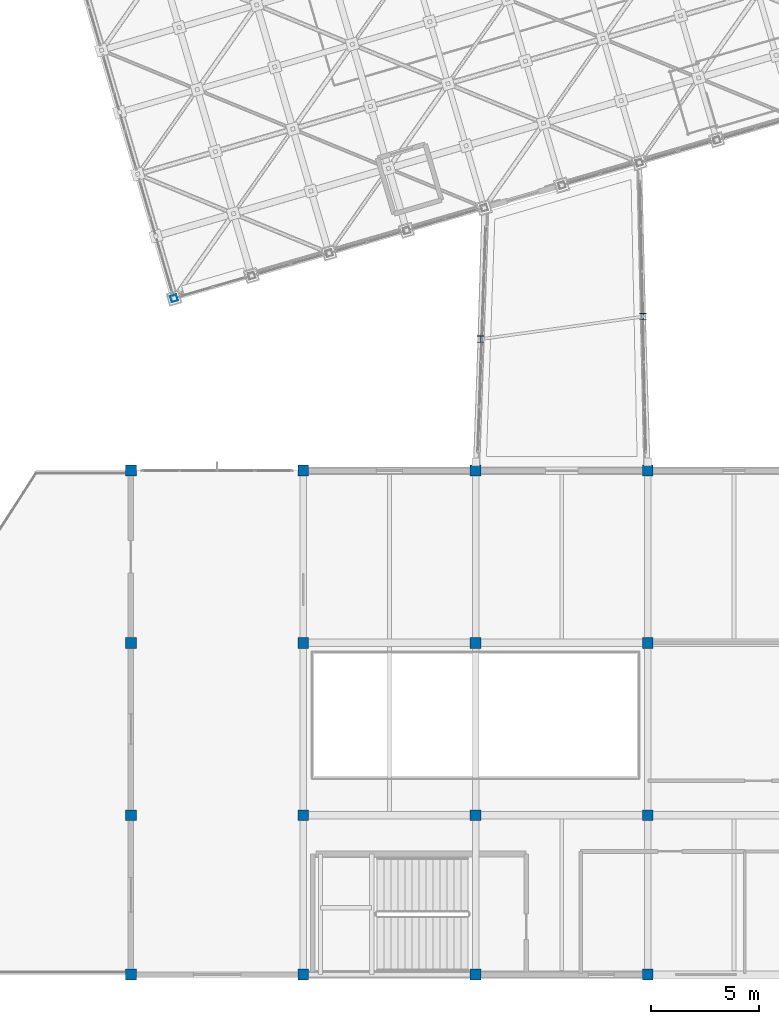
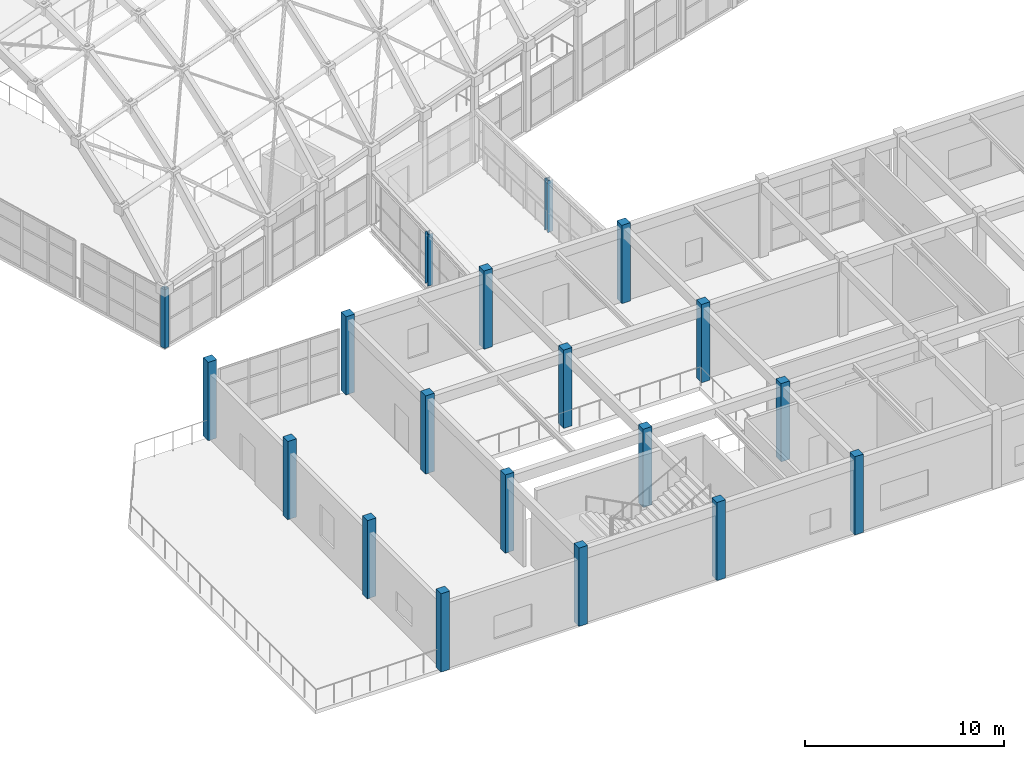
# One storey, part 1 of 248: 19 columns.
"""IFC4 building model written with IfcOpenShell, lengths in metres."""

from ifc_helpers import new_model, si_unit, direction, frame, origin, origin_2d, place, context, subcontext, project, spatial, rectangle, hollow_rectangle, i_section, extrude, material, material_profile, profile_set, type_object, element, save


model = new_model("IFC4")

# Units and contexts
model_context = context("Model", 3, precision=1e-05, world=origin(), true_north=direction((0.0, 1.0)))
body_context = subcontext(model_context, "Body", "Model", "MODEL_VIEW")
ifc_project = project(units=[si_unit("LENGTHUNIT", "METRE"), si_unit("AREAUNIT", "SQUARE_METRE"), si_unit("VOLUMEUNIT", "CUBIC_METRE"), si_unit("PLANEANGLEUNIT", "RADIAN"), si_unit("MASSUNIT", "GRAM", prefix="KILO")], contexts=[model_context])

# Site, building, storey
site_placement = place(None, origin())
site = spatial("IfcSite", under=ifc_project, at=site_placement, CompositionType="ELEMENT")
building_placement = place(site_placement, origin())
building = spatial("IfcBuilding", under=site, at=building_placement, Name="Canggui Botanical Conservatory", CompositionType="ELEMENT")
storey_placement = place(building_placement, frame((0.0, 0.0, 5.39990234375)))
storey = spatial("IfcBuildingStorey", under=building, at=storey_placement, Name="L02", CompositionType="ELEMENT", Elevation=5.39990234375)

# Columns
ifc_material_1 = material(Name="Steel Q355C", Category="steel")
ifc_material_profile_1 = material_profile(ifc_material_1, hollow_rectangle(XDim=0.300048828125, YDim=0.300048828125, WallThickness=0.010009765625, at=origin_2d()), Name="SHS 300x300x10")
ifc_profile_set_1 = profile_set([ifc_material_profile_1], Name="Steel Q355C")
column_type_1 = type_object("IfcColumnType", Name="COL-GZ02", PredefinedType="COLUMN", material=ifc_profile_set_1)
column_placement = place(storey_placement, frame((20.0, 42.0, 0.0), z_axis=(0.0, 0.0, 1.0), x_axis=(0.960000000041, 0.279999999861, 0.0)))
element("IfcColumn", 1, at=column_placement, inside=storey, type_object=column_type_1, Name="Conservatory Upper Arch Pier L02 R1-V0", PredefinedType="COLUMN", context=body_context, shape_type="SweptSolid", body=[
    extrude(hollow_rectangle(XDim=0.300048828125, YDim=0.300048828125, WallThickness=0.010009765625, at=origin_2d()), origin(), (0.0, 0.0, 1.0), 3.60009765625),
])
ifc_material_2 = material(Name="Steel Q355B", Category="steel")
ifc_material_profile_2 = material_profile(ifc_material_2, i_section(OverallWidth=0.300048828125, OverallDepth=0.300048828125, WebThickness=0.010009765625, FlangeThickness=0.014892578125, FilletRadius=0.01806640625, at=origin_2d()), Name="HW 300x300x10x15")
ifc_profile_set_2 = profile_set([ifc_material_profile_2], Name="Steel Q355B")
column_type_2 = type_object("IfcColumnType", Name="COL-GZ05", PredefinedType="COLUMN", material=ifc_profile_set_2)
for number, where, z_axis, x_axis, name in (
    (2, (34.219970703125, 40.10009765625, 0.0), (0.0, 0.0, 1.0), (1.0, 0.0, 0.0), "Skybridge Gallery Steel Column (34.22,40.1)"),
    (3, (41.780029296875, 41.14990234375, 0.0), (0.0, 0.0, 1.0), (1.0, 0.0, 0.0), "Skybridge Gallery Steel Column (41.78,41.15)"),
):
    element("IfcColumn", number, at=place(storey_placement, frame(where, z_axis=z_axis, x_axis=x_axis)), inside=storey, type_object=column_type_2, Name=name, PredefinedType="COLUMN", context=body_context, shape_type="SweptSolid", body=[
        extrude(i_section(OverallWidth=0.300048828125, OverallDepth=0.300048828125, WebThickness=0.010009765625, FlangeThickness=0.014892578125, FilletRadius=0.01806640625, at=origin_2d()), origin(), (0.0, 0.0, 1.0), 3.170166015625),
    ])
ifc_material_3 = material(Name="Concrete C35", Category="concrete")
ifc_material_profile_3 = material_profile(ifc_material_3, rectangle(XDim=0.5, YDim=0.5, at=origin_2d()), Name="RC 500x500")
ifc_profile_set_3 = profile_set([ifc_material_profile_3], Name="Concrete C35")
column_type_3 = type_object("IfcColumnType", Name="COL-KZ13", PredefinedType="COLUMN", material=ifc_profile_set_3)
for number, where, z_axis, x_axis, name in (
    (4, (18.0, 10.60009765625, 0.0), (0.0, 0.0, 1.0), (1.0, 0.0, 0.0), "Visitor Centre Column L02 (18,10)"),
    (5, (18.0, 18.0, 0.0), (0.0, 0.0, 1.0), (1.0, 0.0, 0.0), "Visitor Centre Column L02 (18,18)"),
    (6, (18.0, 26.0, 0.0), (0.0, 0.0, 1.0), (1.0, 0.0, 0.0), "Visitor Centre Column L02 (18,26)"),
    (7, (18.0, 34.0, 0.0), (0.0, 0.0, 1.0), (1.0, 0.0, 0.0), "Visitor Centre Column L02 (18,34)"),
    (8, (26.0, 10.60009765625, 0.0), (0.0, 0.0, 1.0), (1.0, 0.0, 0.0), "Visitor Centre Column L02 (26,10)"),
    (9, (26.0, 18.0, 0.0), (0.0, 0.0, 1.0), (1.0, 0.0, 0.0), "Visitor Centre Column L02 (26,18)"),
    (10, (26.0, 26.0, 0.0), (0.0, 0.0, 1.0), (1.0, 0.0, 0.0), "Visitor Centre Column L02 (26,26)"),
    (11, (26.0, 34.0, 0.0), (0.0, 0.0, 1.0), (1.0, 0.0, 0.0), "Visitor Centre Column L02 (26,34)"),
    (12, (34.0, 10.60009765625, 0.0), (0.0, 0.0, 1.0), (1.0, 0.0, 0.0), "Visitor Centre Column L02 (34,10)"),
    (13, (34.0, 18.0, 0.0), (0.0, 0.0, 1.0), (1.0, 0.0, 0.0), "Visitor Centre Column L02 (34,18)"),
    (14, (34.0, 26.0, 0.0), (0.0, 0.0, 1.0), (1.0, 0.0, 0.0), "Visitor Centre Column L02 (34,26)"),
    (15, (34.0, 34.0, 0.0), (0.0, 0.0, 1.0), (1.0, 0.0, 0.0), "Visitor Centre Column L02 (34,34)"),
    (16, (42.0, 10.60009765625, 0.0), (0.0, 0.0, 1.0), (1.0, 0.0, 0.0), "Visitor Centre Column L02 (42,10)"),
    (17, (42.0, 18.0, 0.0), (0.0, 0.0, 1.0), (1.0, 0.0, 0.0), "Visitor Centre Column L02 (42,18)"),
    (18, (42.0, 26.0, 0.0), (0.0, 0.0, 1.0), (1.0, 0.0, 0.0), "Visitor Centre Column L02 (42,26)"),
    (19, (42.0, 34.0, 0.0), (0.0, 0.0, 1.0), (1.0, 0.0, 0.0), "Visitor Centre Column L02 (42,34)"),
):
    element("IfcColumn", number, at=place(storey_placement, frame(where, z_axis=z_axis, x_axis=x_axis)), inside=storey, type_object=column_type_3, Name=name, PredefinedType="COLUMN", context=body_context, shape_type="SweptSolid", body=[
        extrude(rectangle(XDim=0.5, YDim=0.5, at=origin_2d()), origin(), (0.0, 0.0, 1.0), 4.800048828125),
    ])

save(model, "model.ifc")
